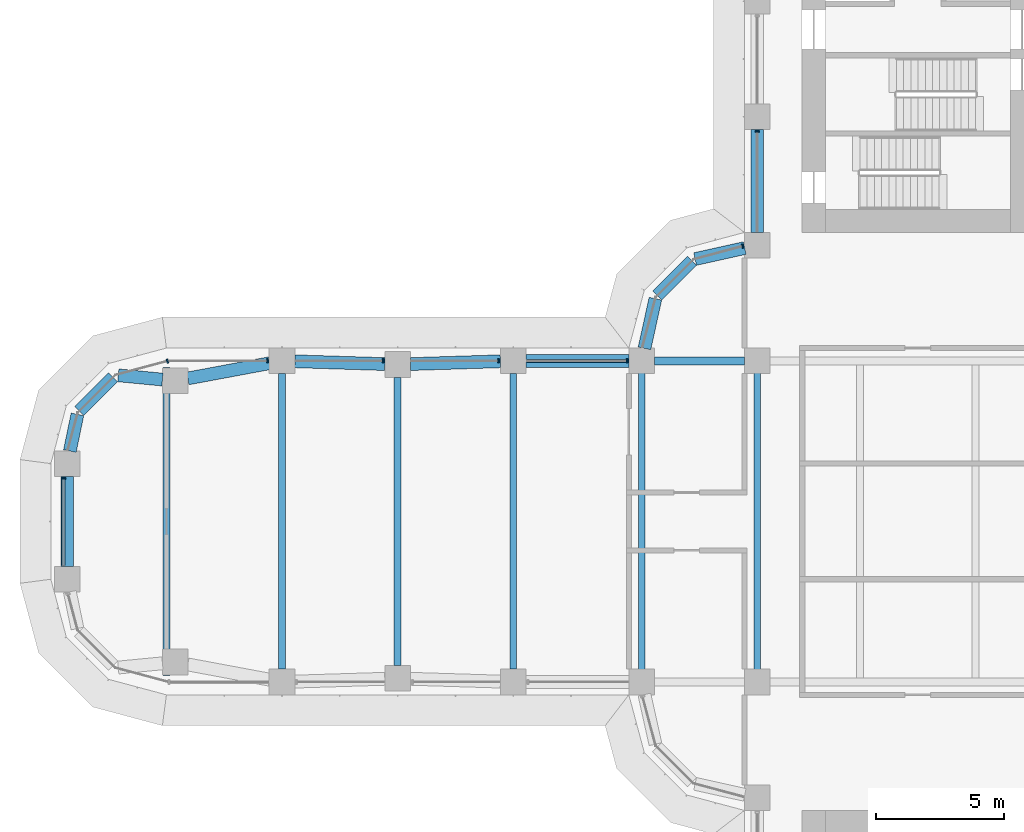
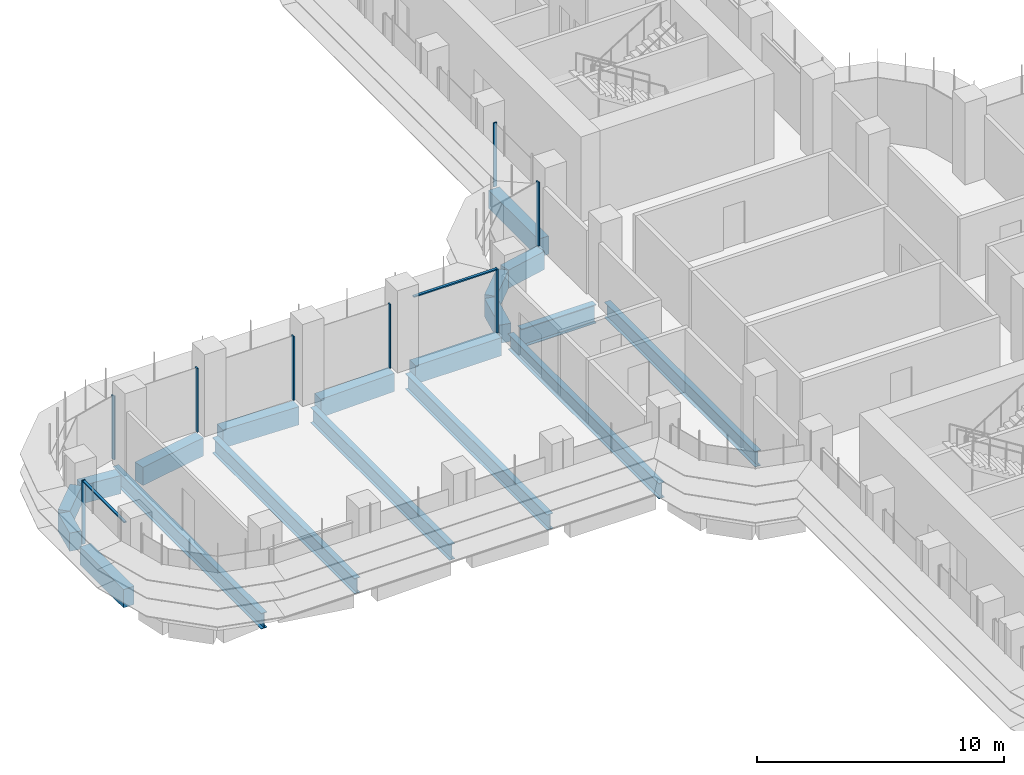
# One storey, part 6 of 23: 19 beams, 10 members, 5 elements without a shape of their own.
"""IFC4 building model written with IfcOpenShell, lengths in metres."""

import ifcopenshell
import ifcopenshell.guid

model = None  # the IFC model being written
_history = None  # IfcOwnerHistory: only IFC2X3 demands one
_inside = {}  # id of a spatial element -> (the spatial element, [elements in it])
_under = {}  # id of a project, library or spatial element -> (it, [spatial elements below it])
_declared = {}  # id of a project -> (the project, [libraries it declares])
_typed = {}  # id of a type object -> (the type object, [elements of that type])
_made_of = {}  # id of a material, layer set ... -> (it, [elements and type objects made of it])


def new_model(schema):
    """Start an empty IFC model of exactly this schema.

    Asked for "IFC4X3", IfcOpenShell would pick the latest addendum, in which some entities
    have other attributes; the version numbers below select the first issue.
    IFC2X3 requires an IfcOwnerHistory on every rooted entity: one is made here for all.
    """
    global model, _history
    if schema == "IFC4X3":
        model = ifcopenshell.file(schema_version=(4, 3, 0, 0))
    else:
        model = ifcopenshell.file(schema=schema)
    _inside.clear()
    _under.clear()
    _declared.clear()
    _typed.clear()
    _made_of.clear()
    _history = None
    if model.schema == "IFC2X3":
        org = make("IfcOrganization", Name="unknown")
        user = make(
            "IfcPersonAndOrganization",
            ThePerson=make("IfcPerson", FamilyName="unknown"),
            TheOrganization=org,
        )
        app = make(
            "IfcApplication",
            ApplicationDeveloper=org,
            Version="unknown",
            ApplicationFullName="unknown",
            ApplicationIdentifier="unknown",
        )
        _history = make(
            "IfcOwnerHistory",
            OwningUser=user,
            OwningApplication=app,
            ChangeAction="ADDED",
            CreationDate=0,
        )
    return model


def make(cls, **values):
    """One entity of the class cls with the attributes given. An attribute that is None is left unset."""
    return model.create_entity(
        cls, **{name: value for name, value in values.items() if value is not None}
    )


def rooted(cls, **values):
    """An entity with a GlobalId (a new one), such as an element, a storey or a relation."""
    return make(cls, GlobalId=ifcopenshell.guid.new(), OwnerHistory=_history, **values)


def si_unit(unit_type, name, prefix=None):
    """IfcSIUnit, for example si_unit("LENGTHUNIT", "METRE", prefix="MILLI")."""
    return make("IfcSIUnit", UnitType=unit_type, Prefix=prefix, Name=name)


def assignment(units):
    """IfcUnitAssignment: the units of a project."""
    return None if units is None else make("IfcUnitAssignment", Units=units)


def point(xyz):
    """IfcCartesianPoint."""
    return None if xyz is None else make("IfcCartesianPoint", Coordinates=xyz)


def direction(xyz):
    """IfcDirection."""
    return None if xyz is None else make("IfcDirection", DirectionRatios=xyz)


def frame(location, z_axis=None, x_axis=None):
    """IfcAxis2Placement3D, a coordinate frame: its origin and axes. An axis left out is left unset."""
    return make(
        "IfcAxis2Placement3D",
        Location=point(location),
        Axis=direction(z_axis),
        RefDirection=direction(x_axis),
    )


def frame_2d(location, x_axis=None):
    """IfcAxis2Placement2D, a coordinate frame in the plane: its origin and x axis."""
    return make(
        "IfcAxis2Placement2D", Location=point(location), RefDirection=direction(x_axis)
    )


def origin():
    """The frame at (0, 0, 0) with its axes left unset."""
    return frame((0.0, 0.0, 0.0))


def origin_2d():
    """The frame at (0, 0) in the plane with its x axis left unset."""
    return frame_2d((0.0, 0.0))


def place(relative_to, where):
    """IfcLocalPlacement: puts the frame where relative to a parent placement (None: the world)."""
    return make(
        "IfcLocalPlacement", PlacementRelTo=relative_to, RelativePlacement=where
    )


def context(
    kind, dimensions, precision=None, world=None, true_north=None, identifier=None
):
    """IfcGeometricRepresentationContext, for example the 3D "Model" context."""
    return make(
        "IfcGeometricRepresentationContext",
        ContextIdentifier=identifier,
        ContextType=kind,
        CoordinateSpaceDimension=dimensions,
        Precision=precision,
        WorldCoordinateSystem=world,
        TrueNorth=true_north,
    )


def subcontext(parent, identifier, kind, view, scale=None):
    """IfcGeometricRepresentationSubContext, for example "Body" below "Model"."""
    return make(
        "IfcGeometricRepresentationSubContext",
        ContextIdentifier=identifier,
        ContextType=kind,
        ParentContext=parent,
        TargetScale=scale,
        TargetView=view,
    )


def project(units=None, contexts=None):
    """IfcProject with its units and contexts."""
    return rooted(
        "IfcProject",
        Name="project",
        RepresentationContexts=contexts,
        UnitsInContext=assignment(units),
    )


def spatial(cls, under=None, at=None, **own):
    """A site, building, storey or space (cls), placed at a placement, below another one or the project."""
    s = rooted(cls, ObjectPlacement=at, **own)
    if under is not None:
        _under.setdefault(under.id(), (under, []))[1].append(s)
    return s


def polyline(points):
    """IfcPolyline through the points."""
    return make("IfcPolyline", Points=[point(p) for p in points])


def profile(cls, at=None, kind="AREA", **sizes):
    """A parametric profile (cls). Its sizes go by their IFC names, for example OverallWidth=200.0."""
    return make(cls, ProfileType=kind, Position=at, **sizes)


def rectangle(**sizes):
    """IfcRectangleProfileDef."""
    return profile("IfcRectangleProfileDef", **sizes)


def i_section(**sizes):
    """IfcIShapeProfileDef."""
    return profile("IfcIShapeProfileDef", **sizes)


def outline(outer, holes=None, kind="AREA"):
    """IfcArbitraryClosedProfileDef: a profile drawn as a closed curve; with holes, ...WithVoids."""
    if holes is None:
        return make("IfcArbitraryClosedProfileDef", ProfileType=kind, OuterCurve=outer)
    return make(
        "IfcArbitraryProfileDefWithVoids",
        ProfileType=kind,
        OuterCurve=outer,
        InnerCurves=holes,
    )


def extrude(swept, where, along, depth):
    """IfcExtrudedAreaSolid: the profile swept, set in the frame where, extruded along a direction by depth."""
    return make(
        "IfcExtrudedAreaSolid",
        SweptArea=swept,
        Position=where,
        ExtrudedDirection=direction(along),
        Depth=depth,
    )


def shape(context_of_items, identifier, shape_type, items):
    """IfcShapeRepresentation: the items that make up one representation, for example the "Body"."""
    return make(
        "IfcShapeRepresentation",
        ContextOfItems=context_of_items,
        RepresentationIdentifier=identifier,
        RepresentationType=shape_type,
        Items=items,
    )


def source(mapping_origin, context_of_items, identifier, shape_type, items):
    """IfcRepresentationMap: a shape defined once, which mapped items show again and again."""
    return make(
        "IfcRepresentationMap",
        MappingOrigin=mapping_origin,
        MappedRepresentation=shape(context_of_items, identifier, shape_type, items),
    )


def transform(
    local_origin,
    x_axis=None,
    y_axis=None,
    z_axis=None,
    scale=None,
    scale2=None,
    scale3=None,
    uniform=True,
):
    """IfcCartesianTransformationOperator3D, or its non-uniform kind. x_axis, y_axis, z_axis: its Axis1, 2, 3."""
    if uniform:
        return make(
            "IfcCartesianTransformationOperator3D",
            Axis1=direction(x_axis),
            Axis2=direction(y_axis),
            LocalOrigin=point(local_origin),
            Scale=scale,
            Axis3=direction(z_axis),
        )
    return make(
        "IfcCartesianTransformationOperator3DnonUniform",
        Axis1=direction(x_axis),
        Axis2=direction(y_axis),
        LocalOrigin=point(local_origin),
        Scale=scale,
        Axis3=direction(z_axis),
        Scale2=scale2,
        Scale3=scale3,
    )


def mapped(mapping_source, mapping_target):
    """IfcMappedItem: shows the shape of a source again, moved by a transform."""
    return make(
        "IfcMappedItem", MappingSource=mapping_source, MappingTarget=mapping_target
    )


def material(Name=None, Category=None):
    """IfcMaterial."""
    return make("IfcMaterial", Name=Name, Category=Category)


def material_profile(
    of_material, cross_section, Name=None, Category=None, Priority=None
):
    """IfcMaterialProfile: a cross section and its material."""
    return make(
        "IfcMaterialProfile",
        Name=Name,
        Material=of_material,
        Profile=cross_section,
        Priority=Priority,
        Category=Category,
    )


def profile_set(profiles, Name=None, composite=None):
    """IfcMaterialProfileSet."""
    return make(
        "IfcMaterialProfileSet",
        Name=Name,
        MaterialProfiles=profiles,
        CompositeProfile=composite,
    )


def made_of(thing, what):
    """Note that an element or type object is made of a material, layer set ...; save() writes the relation."""
    if what is not None:
        _made_of.setdefault(what.id(), (what, []))[1].append(thing)
    return thing


def type_object(cls, material=None, **own):
    """A type object (cls), such as IfcWallType, which elements share."""
    return made_of(rooted(cls, **own), material)


def element(
    cls,
    number,
    at=None,
    inside=None,
    cuts=None,
    type_object=None,
    material=None,
    context=None,
    identifier="Body",
    shape_type=None,
    held_by="IfcProductDefinitionShape",
    body=None,
    shapes=None,
    **own,
):
    """One element of the class cls, such as IfcWall. Its Tag is "e" and its number.

    at: its placement. inside: the storey or other place that contains it. cuts: it is an
    opening in that element (IfcRelVoidsElement). A single representation is given by context,
    identifier, shape_type and body (its items); several are given by shapes. held_by: the class
    of the entity that holds the representations. save() writes the other relations.
    """
    e = rooted(cls, Tag="e%d" % number, ObjectPlacement=at, **own)
    if body is not None:
        shapes = [shape(context, identifier, shape_type, body)]
    if shapes is not None:
        e.Representation = make(held_by, Representations=shapes)
    if inside is not None:
        _inside.setdefault(inside.id(), (inside, []))[1].append(e)
    if cuts is not None:
        rooted(
            "IfcRelVoidsElement", RelatingBuildingElement=cuts, RelatedOpeningElement=e
        )
    if type_object is not None:
        _typed.setdefault(type_object.id(), (type_object, []))[1].append(e)
    return made_of(e, material)


def aggregate(whole, parts):
    """IfcRelAggregates: a whole, such as a stair, and the parts it consists of."""
    return rooted("IfcRelAggregates", RelatingObject=whole, RelatedObjects=parts)


def save(model, path):
    """Write the relations noted so far, then the file.

    IfcRelAggregates (storeys below a building ...), IfcRelContainedInSpatialStructure (elements
    in a storey), IfcRelDefinesByType, IfcRelAssociatesMaterial and IfcRelDeclares: one each for
    every whole, place, type object, material and project.
    """
    for whole, parts in _under.values():
        aggregate(whole, parts)
    for where, things in _inside.values():
        rooted(
            "IfcRelContainedInSpatialStructure",
            RelatedElements=things,
            RelatingStructure=where,
        )
    for kind, things in _typed.values():
        rooted("IfcRelDefinesByType", RelatedObjects=things, RelatingType=kind)
    for what, things in _made_of.values():
        rooted("IfcRelAssociatesMaterial", RelatedObjects=things, RelatingMaterial=what)
    for by, libraries in _declared.values():
        rooted("IfcRelDeclares", RelatingContext=by, RelatedDefinitions=libraries)
    model.write(path)


model = new_model("IFC4")

# Units and contexts
model_context = context("Model", 3, precision=1e-05, world=origin(), true_north=direction((0.0, 1.0)))
body_context = subcontext(model_context, "Body", "Model", "MODEL_VIEW")
ifc_project = project(units=[si_unit("LENGTHUNIT", "METRE"), si_unit("AREAUNIT", "SQUARE_METRE"), si_unit("VOLUMEUNIT", "CUBIC_METRE"), si_unit("PLANEANGLEUNIT", "RADIAN"), si_unit("MASSUNIT", "GRAM", prefix="KILO")], contexts=[model_context])

# Site, building, storey
site_placement = place(None, origin())
site = spatial("IfcSite", under=ifc_project, at=site_placement, CompositionType="ELEMENT")
building_placement = place(site_placement, origin())
building = spatial("IfcBuilding", under=site, at=building_placement, Name="Zarbagh Exchange Tower", CompositionType="ELEMENT")
storey_placement = place(building_placement, frame((0.0, 0.0, 77.39990234375)))
storey = spatial("IfcBuildingStorey", under=building, at=storey_placement, Name="L17", CompositionType="ELEMENT", Elevation=77.39990234375)

# Beams
ifc_material_1 = material(Name="Steel ASTM A992 Gr 50", Category="steel")
ifc_material_profile_1 = material_profile(ifc_material_1, i_section(OverallWidth=0.2666015625, OverallDepth=0.76708984375, WebThickness=0.014892578125, FlangeThickness=0.023681640625, at=origin_2d()), Name="W30X124")
ifc_profile_set_1 = profile_set([ifc_material_profile_1], Name="Steel ASTM A992 Gr 50")
beam_type_1 = type_object("IfcBeamType", Name="Floor beam W30X124", PredefinedType="BEAM", material=ifc_profile_set_1)
for number, where, z_axis, x_axis, name in (
    (1, (-10.75, -6.09765625, -0.533447265625), (0.0, 1.0, 0.0), (-1.0, 0.0, 0.0), "Steel floor beam"),
    (2, (-6.25, -6.09765625, -0.533447265625), (0.0, 1.0, 0.0), (-1.0, 0.0, 0.0), "Steel floor beam"),
):
    element("IfcBeam", number, at=place(storey_placement, frame(where, z_axis=z_axis, x_axis=x_axis)), inside=storey, type_object=beam_type_1, Name=name, PredefinedType="BEAM", context=body_context, shape_type="SweptSolid", body=[
        extrude(i_section(OverallWidth=0.2666015625, OverallDepth=0.76708984375, WebThickness=0.014892578125, FlangeThickness=0.023681640625, at=origin_2d()), origin(), (0.0, 0.0, 1.0), 12.1953125),
    ])
beam_1_placement = place(storey_placement, frame((-15.75, -5.75, -0.533447265625), z_axis=(0.0, 1.0, 0.0), x_axis=(-1.0, 0.0, 0.0)))
element("IfcBeam", 3, at=beam_1_placement, inside=storey, type_object=beam_type_1, Name="Steel floor beam", PredefinedType="BEAM", context=body_context, shape_type="SweptSolid", body=[
    extrude(i_section(OverallWidth=0.2666015625, OverallDepth=0.76708984375, WebThickness=0.014892578125, FlangeThickness=0.023681640625, at=origin_2d()), origin(), (0.0, 0.0, 1.0), 11.5),
])
beam_2_placement = place(storey_placement, frame((-20.25, -5.610107421875, -0.533447265625), z_axis=(0.0, 1.0, 0.0), x_axis=(-1.0, 0.0, 0.0)))
element("IfcBeam", 4, at=beam_2_placement, inside=storey, type_object=beam_type_1, Name="Steel floor beam", PredefinedType="BEAM", context=body_context, shape_type="SweptSolid", body=[
    extrude(i_section(OverallWidth=0.2666015625, OverallDepth=0.76708984375, WebThickness=0.014892578125, FlangeThickness=0.023681640625, at=origin_2d()), origin(), (0.0, 0.0, 1.0), 11.22021484375),
])
beam_3_placement = place(storey_placement, frame((-24.75, -5.75, -0.533447265625), z_axis=(0.0, 1.0, 0.0), x_axis=(-1.0, 0.0, 0.0)))
element("IfcBeam", 5, at=beam_3_placement, inside=storey, type_object=beam_type_1, Name="Steel floor beam", PredefinedType="BEAM", context=body_context, shape_type="SweptSolid", body=[
    extrude(i_section(OverallWidth=0.2666015625, OverallDepth=0.76708984375, WebThickness=0.014892578125, FlangeThickness=0.023681640625, at=origin_2d()), origin(), (0.0, 0.0, 1.0), 11.5),
])
beam_4_placement = place(storey_placement, frame((-29.25, -6.0, -0.533447265625), z_axis=(0.0, 1.0, 0.0), x_axis=(-1.0, 0.0, 0.0)))
element("IfcBeam", 6, at=beam_4_placement, inside=storey, type_object=beam_type_1, Name="Steel floor beam", PredefinedType="BEAM", context=body_context, shape_type="SweptSolid", body=[
    extrude(i_section(OverallWidth=0.2666015625, OverallDepth=0.76708984375, WebThickness=0.014892578125, FlangeThickness=0.023681640625, at=origin_2d()), origin(), (0.0, 0.0, 1.0), 12.0),
])
ifc_material_profile_2 = material_profile(ifc_material_1, i_section(OverallWidth=0.3046875, OverallDepth=0.91943359375, WebThickness=0.017333984375, FlangeThickness=0.02783203125, at=origin_2d()), Name="W36X170")
ifc_profile_set_2 = profile_set([ifc_material_profile_2], Name="Steel ASTM A992 Gr 50")
beam_type_2 = type_object("IfcBeamType", Name="Floor girder W36X170", PredefinedType="BEAM", material=ifc_profile_set_2)
beam_5_placement = place(storey_placement, frame((-10.25, 6.25, -0.609619140625), z_axis=(1.0, 0.0, 0.0), x_axis=(0.0, 1.0, 0.0)))
element("IfcBeam", 7, at=beam_5_placement, inside=storey, type_object=beam_type_2, Name="Steel girder", PredefinedType="BEAM", context=body_context, shape_type="SweptSolid", body=[
    extrude(i_section(OverallWidth=0.3046875, OverallDepth=0.91943359375, WebThickness=0.017333984375, FlangeThickness=0.02783203125, at=origin_2d()), origin(), (0.0, 0.0, 1.0), 3.5),
])
ifc_material_2 = material(Name="Concrete C60/75", Category="concrete")
ifc_material_profile_3 = material_profile(ifc_material_2, rectangle(XDim=0.5, YDim=0.89990234375, at=origin_2d()), Name="RC spandrel beam 500 x 900 C60/75")
ifc_profile_set_3 = profile_set([ifc_material_profile_3], Name="Concrete C60/75")
beam_type_3 = type_object("IfcBeamType", Name="RC spandrel beam 500 x 900 C60/75", PredefinedType="SPANDREL", material=ifc_profile_set_3)
beam_6_placement = place(storey_placement, frame((-33.110107421875, -1.75, -0.599853515625), z_axis=(0.0, 1.0, 0.0), x_axis=(-1.0, 0.0, 0.0)))
element("IfcBeam", 8, at=beam_6_placement, inside=storey, type_object=beam_type_3, Name="RC spandrel beam", PredefinedType="SPANDREL", context=body_context, shape_type="SweptSolid", body=[
    extrude(rectangle(XDim=0.5, YDim=0.89990234375, at=origin_2d()), origin(), (0.0, 0.0, 1.0), 3.5),
])
beam_7_placement = place(storey_placement, frame((-33.0087890625, 2.73974609375, -0.599853515625), z_axis=(0.202068589164, 0.9793713725, 0.0), x_axis=(-0.9793713725, 0.202068589164, 0.0)))
element("IfcBeam", 9, at=beam_7_placement, inside=storey, type_object=beam_type_3, Name="RC spandrel beam", PredefinedType="SPANDREL", context=body_context, shape_type="SweptSolid", body=[
    extrude(rectangle(XDim=0.5, YDim=0.89990234375, at=origin_2d()), origin(), (0.0, 0.0, 1.0), 1.458251953125),
])
beam_8_placement = place(storey_placement, frame((-32.64599609375, 4.294189453125, -0.599853515625), z_axis=(0.707172099812, 0.707041456527, 0.0), x_axis=(-0.707041456527, 0.707172099812, 0.0)))
element("IfcBeam", 10, at=beam_8_placement, inside=storey, type_object=beam_type_3, Name="RC spandrel beam", PredefinedType="SPANDREL", context=body_context, shape_type="SweptSolid", body=[
    extrude(rectangle(XDim=0.5, YDim=0.89990234375, at=origin_2d()), origin(), (0.0, 0.0, 1.0), 1.86865234375),
])
beam_9_placement = place(storey_placement, frame((-31.123779296875, 5.6875, -0.599853515625), z_axis=(0.995431032456, -0.095483294999, 0.0), x_axis=(0.095483294999, 0.995431032456, 0.0)))
element("IfcBeam", 11, at=beam_9_placement, inside=storey, type_object=beam_type_3, Name="RC spandrel beam", PredefinedType="SPANDREL", context=body_context, shape_type="SweptSolid", body=[
    extrude(rectangle(XDim=0.5, YDim=0.89990234375, at=origin_2d()), origin(), (0.0, 0.0, 1.0), 1.725830078125),
])
beam_10_placement = place(storey_placement, frame((-28.41650390625, 5.566650390625, -0.599853515625), z_axis=(0.983069300761, 0.183234139565, 0.0), x_axis=(-0.183234139565, 0.983069300761, 0.0)))
element("IfcBeam", 12, at=beam_10_placement, inside=storey, type_object=beam_type_3, Name="RC spandrel beam", PredefinedType="SPANDREL", context=body_context, shape_type="SweptSolid", body=[
    extrude(rectangle(XDim=0.5, YDim=0.89990234375, at=origin_2d()), origin(), (0.0, 0.0, 1.0), 3.229736328125),
])
for number, where, z_axis, x_axis, name in (
    (13, (-24.250244140625, 6.234619140625, -0.599853515625), (0.999514385708, -0.031160756759, 0.0), (0.031160756759, 0.999514385708, 0.0), "RC spandrel beam"),
    (14, (-19.750244140625, 6.12548828125, -0.599853515625), (0.999514385708, 0.031160756759, 0.0), (-0.031160756759, 0.999514385708, 0.0), "RC spandrel beam"),
):
    element("IfcBeam", number, at=place(storey_placement, frame(where, z_axis=z_axis, x_axis=x_axis)), inside=storey, type_object=beam_type_3, Name=name, PredefinedType="SPANDREL", context=body_context, shape_type="SweptSolid", body=[
        extrude(rectangle(XDim=0.5, YDim=0.89990234375, at=origin_2d()), origin(), (0.0, 0.0, 1.0), 3.502197265625),
    ])
beam_11_placement = place(storey_placement, frame((-15.25, 6.25, -0.599853515625), z_axis=(1.0, 0.0, 0.0), x_axis=(0.0, 1.0, 0.0)))
element("IfcBeam", 15, at=beam_11_placement, inside=storey, type_object=beam_type_3, Name="RC spandrel beam", PredefinedType="SPANDREL", context=body_context, shape_type="SweptSolid", body=[
    extrude(rectangle(XDim=0.5, YDim=0.89990234375, at=origin_2d()), origin(), (0.0, 0.0, 1.0), 4.0),
])
beam_12_placement = place(storey_placement, frame((-10.64208984375, 6.73828125, -0.599853515625), z_axis=(0.216081063242, 0.976375426825, 0.0), x_axis=(-0.976375426825, 0.216081063242, 0.0)))
element("IfcBeam", 16, at=beam_12_placement, inside=storey, type_object=beam_type_3, Name="RC spandrel beam", PredefinedType="SPANDREL", context=body_context, shape_type="SweptSolid", body=[
    extrude(rectangle(XDim=0.5, YDim=0.89990234375, at=origin_2d()), origin(), (0.0, 0.0, 1.0), 1.978271484375),
])
beam_13_placement = place(storey_placement, frame((-10.147216796875, 8.792724609375, -0.599853515625), z_axis=(0.707106781187, 0.707106781187, 0.0), x_axis=(-0.707106781187, 0.707106781187, 0.0)))
element("IfcBeam", 17, at=beam_13_placement, inside=storey, type_object=beam_type_3, Name="RC spandrel beam", PredefinedType="SPANDREL", context=body_context, shape_type="SweptSolid", body=[
    extrude(rectangle(XDim=0.5, YDim=0.89990234375, at=origin_2d()), origin(), (0.0, 0.0, 1.0), 1.91552734375),
])
beam_14_placement = place(storey_placement, frame((-8.669921875, 10.214599609375, -0.599853515625), z_axis=(0.976375426825, 0.216081063242, 0.0), x_axis=(-0.216081063242, 0.976375426825, 0.0)))
element("IfcBeam", 18, at=beam_14_placement, inside=storey, type_object=beam_type_3, Name="RC spandrel beam", PredefinedType="SPANDREL", context=body_context, shape_type="SweptSolid", body=[
    extrude(rectangle(XDim=0.5, YDim=0.89990234375, at=origin_2d()), origin(), (0.0, 0.0, 1.0), 1.978271484375),
])
beam_15_placement = place(storey_placement, frame((-6.25, 11.25, -0.599853515625), z_axis=(0.0, 1.0, 0.0), x_axis=(-1.0, 0.0, 0.0)))
element("IfcBeam", 19, at=beam_15_placement, inside=storey, type_object=beam_type_3, Name="RC spandrel beam", PredefinedType="SPANDREL", context=body_context, shape_type="SweptSolid", body=[
    extrude(rectangle(XDim=0.5, YDim=0.89990234375, at=origin_2d()), origin(), (0.0, 0.0, 1.0), 4.0),
])

# Curtain wall, member
ifc_material_3 = material(Name="Anodised aluminium frame and glazing", Category="aluminium")
curtain_wall_type = type_object("IfcCurtainWallType", Name="CWA Ribbon glazing, lower zones", PredefinedType="NOTDEFINED", material=ifc_material_3)
curtain_wall_1_placement = place(storey_placement, origin())
curtain_wall_1 = element("IfcCurtainWall", 20, at=curtain_wall_1_placement, inside=storey, type_object=curtain_wall_type, Name="CWA28 curtain wall", PredefinedType="NOTDEFINED")
ifc_material_4 = material(Name="Anodised aluminium frame", Category="aluminium")
member_type_1 = type_object("IfcMemberType", Name="MUA Mullion, anodised aluminium frame", PredefinedType="MULLION", material=ifc_material_4)
shared_shape_1 = source(origin(), body_context, "Body", "SweptSolid", [
    extrude(outline(polyline([(0.0, -0.080078125), (0.06005859375, -0.080078125), (0.06005859375, 0.080078125), (0.0, 0.080078125), (0.0, -0.080078125)])), origin(), (0.0, 0.0, 1.0), 3.14990234375),
])
placement = place(storey_placement, origin())
member_1 = element("IfcMember", 21, at=placement, type_object=member_type_1, Name="CWA28 mullion 5.1", PredefinedType="MULLION", context=body_context, shape_type="MappedRepresentation", body=[
    mapped(shared_shape_1, transform((-6.25, 15.2099609375, 0.0), x_axis=(0.0, -1.0, 0.0), y_axis=(1.0, 0.0, 0.0), z_axis=(0.0, 0.0, 1.0))),
])
aggregate(curtain_wall_1, [member_1])

curtain_wall_2_placement = place(storey_placement, origin())
curtain_wall_2 = element("IfcCurtainWall", 22, at=curtain_wall_2_placement, inside=storey, type_object=curtain_wall_type, Name="CWA29 curtain wall", PredefinedType="NOTDEFINED")
member_2 = element("IfcMember", 23, at=placement, type_object=member_type_1, Name="CWA29 mullion 1.1", PredefinedType="MULLION", context=body_context, shape_type="MappedRepresentation", body=[
    mapped(shared_shape_1, transform((-6.7900390625, 10.7216796875, 0.0), x_axis=(-0.965924289636, -0.258824779902, 0.0), y_axis=(0.258824779902, -0.965924289636, 0.0), z_axis=(0.0, 0.0, 1.0))),
])
aggregate(curtain_wall_2, [member_2])

# Curtain wall, members
curtain_wall_3_placement = place(storey_placement, origin())
curtain_wall_3 = element("IfcCurtainWall", 24, at=curtain_wall_3_placement, inside=storey, type_object=curtain_wall_type, Name="CWA32 curtain wall", PredefinedType="NOTDEFINED")
member_3 = element("IfcMember", 25, at=placement, type_object=member_type_1, Name="CWA32 mullion 1.1", PredefinedType="MULLION", context=body_context, shape_type="MappedRepresentation", body=[
    mapped(shared_shape_1, transform((-11.2900390625, 6.25, 0.0), x_axis=(-1.0, 0.0, 0.0), y_axis=(0.0, -1.0, 0.0), z_axis=(0.0, 0.0, 1.0))),
])
member_4 = element("IfcMember", 26, at=placement, type_object=member_type_1, Name="CWA32 mullion 2.1", PredefinedType="MULLION", context=body_context, shape_type="MappedRepresentation", body=[
    mapped(shared_shape_1, transform((-16.2900390625, 6.25, 0.0), x_axis=(-1.0, 0.0, 0.0), y_axis=(0.0, -1.0, 0.0), z_axis=(0.0, 0.0, 1.0))),
])
member_5 = element("IfcMember", 27, at=placement, type_object=member_type_1, Name="CWA32 mullion 3.1", PredefinedType="MULLION", context=body_context, shape_type="MappedRepresentation", body=[
    mapped(shared_shape_1, transform((-20.7900390625, 6.25, 0.0), x_axis=(-1.0, 0.0, 0.0), y_axis=(0.0, -1.0, 0.0), z_axis=(0.0, 0.0, 1.0))),
])
member_6 = element("IfcMember", 28, at=placement, type_object=member_type_1, Name="CWA32 mullion 4.1", PredefinedType="MULLION", context=body_context, shape_type="MappedRepresentation", body=[
    mapped(shared_shape_1, transform((-25.2900390625, 6.25, 0.0), x_axis=(-1.0, 0.0, 0.0), y_axis=(0.0, -1.0, 0.0), z_axis=(0.0, 0.0, 1.0))),
])

# Curtain wall, member
curtain_wall_4_placement = place(storey_placement, origin())
curtain_wall_4 = element("IfcCurtainWall", 29, at=curtain_wall_4_placement, inside=storey, type_object=curtain_wall_type, Name="CWA33 curtain wall", PredefinedType="NOTDEFINED")
member_7 = element("IfcMember", 30, at=placement, type_object=member_type_1, Name="CWA33 mullion 1.1", PredefinedType="MULLION", context=body_context, shape_type="MappedRepresentation", body=[
    mapped(shared_shape_1, transform((-29.18408203125, 6.25, 0.0), x_axis=(-0.965924289636, -0.258824779902, 0.0), y_axis=(0.258824779902, -0.965924289636, 0.0), z_axis=(0.0, 0.0, 1.0))),
])
aggregate(curtain_wall_4, [member_7])

curtain_wall_5_placement = place(storey_placement, origin())
curtain_wall_5 = element("IfcCurtainWall", 31, at=curtain_wall_5_placement, inside=storey, type_object=curtain_wall_type, Name="CWA36 curtain wall", PredefinedType="NOTDEFINED")
member_8 = element("IfcMember", 32, at=placement, type_object=member_type_1, Name="CWA36 mullion 1.1", PredefinedType="MULLION", context=body_context, shape_type="MappedRepresentation", body=[
    mapped(shared_shape_1, transform((-33.25, 1.7099609375, 0.0), x_axis=(0.0, -1.0, 0.0), y_axis=(1.0, 0.0, 0.0), z_axis=(0.0, 0.0, 1.0))),
])

# Member
member_type_2 = type_object("IfcMemberType", Name="TRA Transom, anodised aluminium frame", PredefinedType="USERDEFINED", material=ifc_material_4)
shared_shape_2 = source(origin(), body_context, "Body", "SweptSolid", [
    extrude(outline(polyline([(-0.06005859375, -0.06005859375), (0.0, -0.06005859375), (0.0, 0.06005859375), (-0.06005859375, 0.06005859375), (-0.06005859375, -0.06005859375)])), origin(), (0.0, 0.0, 1.0), 3.860107421875),
])
member_9 = element("IfcMember", 33, at=placement, type_object=member_type_2, Name="CWA32 transom 1.1", ObjectType="TRANSOM", PredefinedType="USERDEFINED", context=body_context, shape_type="MappedRepresentation", body=[
    mapped(shared_shape_2, transform((-11.35009765625, 6.25, 3.150146484375), x_axis=(0.0, 0.0, 1.0), y_axis=(0.0, 1.0, 0.0), z_axis=(-1.0, 0.0, 0.0))),
])

aggregate(curtain_wall_3, [member_3, member_9, member_4, member_5, member_6])

shared_shape_3 = source(origin(), body_context, "Body", "SweptSolid", [
    extrude(outline(polyline([(-0.06005859375, -0.06005859375), (0.0, -0.06005859375), (0.0, 0.06005859375), (-0.06005859375, 0.06005859375), (-0.06005859375, -0.06005859375)])), origin(), (0.0, 0.0, 1.0), 3.360107421875),
])
member_10 = element("IfcMember", 34, at=placement, type_object=member_type_2, Name="CWA36 transom 1.1", ObjectType="TRANSOM", PredefinedType="USERDEFINED", context=body_context, shape_type="MappedRepresentation", body=[
    mapped(shared_shape_3, transform((-33.25, 1.64990234375, 3.150146484375), x_axis=(0.0, 0.0, 1.0), y_axis=(-1.0, 0.0, 0.0), z_axis=(0.0, -1.0, 0.0))),
])

aggregate(curtain_wall_5, [member_8, member_10])

save(model, "model.ifc")
